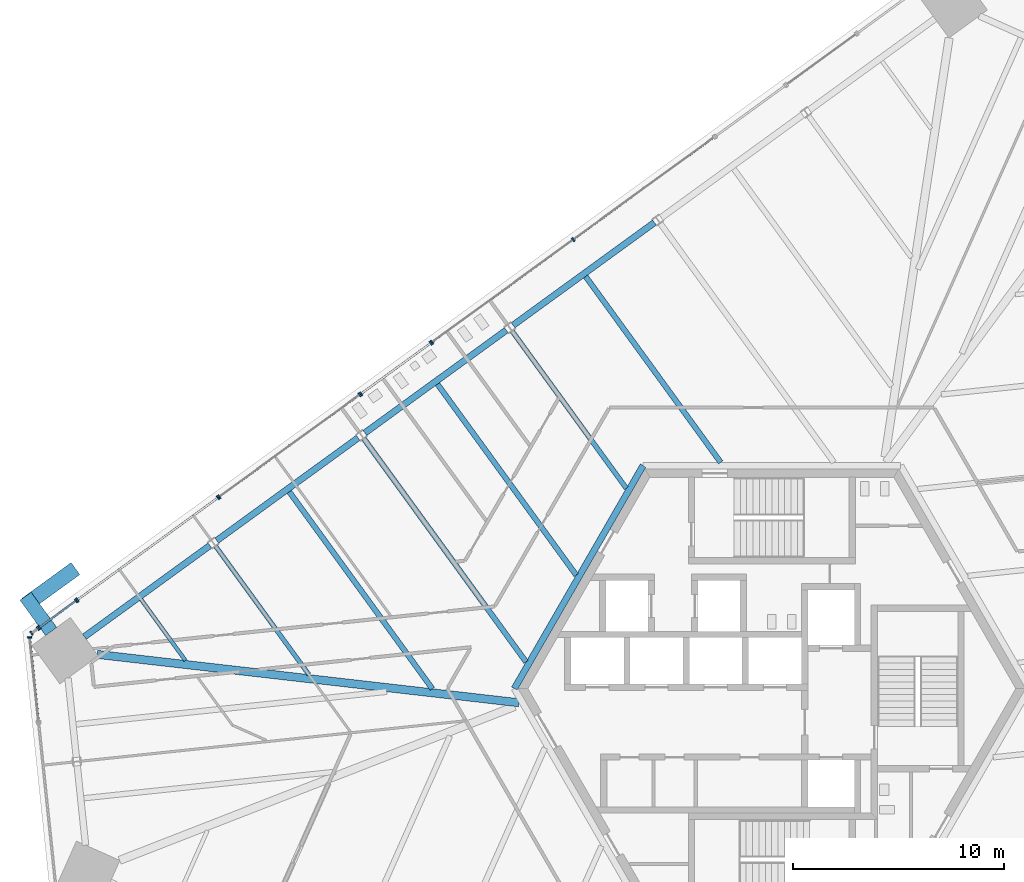
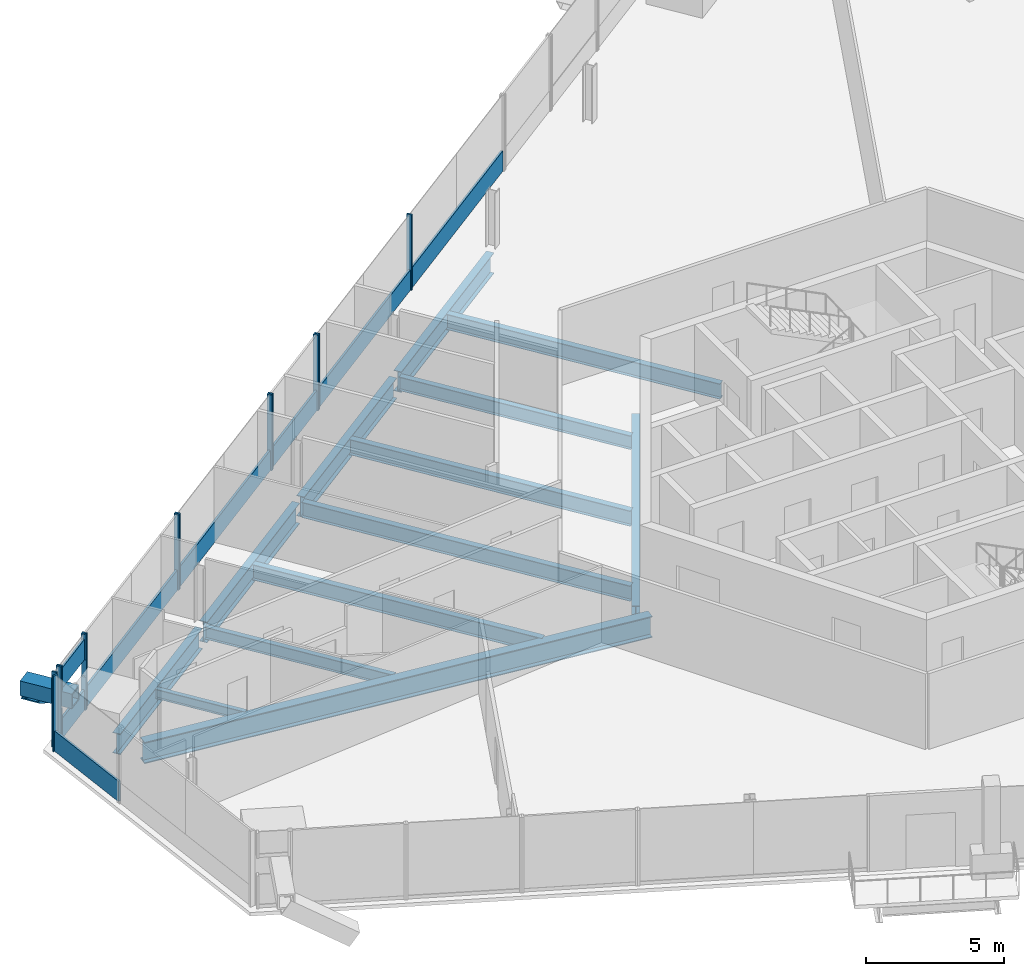
# One storey, part 7 of 25: 25 members, 13 beams, 8 elements without a shape of their own.
"""IFC4 building model written with IfcOpenShell, lengths in metres."""

from ifc_helpers import new_model, si_unit, direction, frame, origin, origin_2d, place, context, subcontext, project, spatial, rectangle, hollow_rectangle, i_section, extrude, source, transform, mapped, material, material_profile, profile_set, type_object, element, aggregate, save


model = new_model("IFC4")

# Units and contexts
model_context = context("Model", 3, precision=1e-05, world=origin(), true_north=direction((0.0, 1.0)))
body_context = subcontext(model_context, "Body", "Model", "MODEL_VIEW")
ifc_project = project(units=[si_unit("LENGTHUNIT", "METRE"), si_unit("AREAUNIT", "SQUARE_METRE"), si_unit("VOLUMEUNIT", "CUBIC_METRE"), si_unit("PLANEANGLEUNIT", "RADIAN"), si_unit("MASSUNIT", "GRAM", prefix="KILO")], contexts=[model_context])

# Site, building, storey
site_placement = place(None, origin())
site = spatial("IfcSite", under=ifc_project, at=site_placement, CompositionType="ELEMENT")
building_placement = place(site_placement, origin())
building = spatial("IfcBuilding", under=site, at=building_placement, Name="Triune Harvest Tower", CompositionType="ELEMENT")
storey_placement = place(building_placement, frame((0.0, 0.0, 90.89990234375)))
storey = spatial("IfcBuildingStorey", under=building, at=storey_placement, Name="L22", CompositionType="ELEMENT", Elevation=90.89990234375)

# Curtain wall, member
ifc_material_1 = material(Name="Aluminium bronze anodised", Category="aluminium")
curtain_wall_type_1 = type_object("IfcCurtainWallType", Name="CW-7 Tower stick curtain wall with insulated spandrel infill", PredefinedType="NOTDEFINED", material=ifc_material_1)
curtain_wall_1_placement = place(storey_placement, origin())
curtain_wall_1 = element("IfcCurtainWall", 1, at=curtain_wall_1_placement, inside=storey, type_object=curtain_wall_type_1, Name="CW-7 B2-F3 L22 run 4201")
ifc_material_2 = material(Name="Aluminium bronze anodised", Category="aluminium")
ifc_material_profile_1 = material_profile(ifc_material_2, rectangle(XDim=0.090087890625, YDim=0.89990234375, at=origin_2d()), Name="TR-1 transom 90 x 900")
ifc_profile_set_1 = profile_set([ifc_material_profile_1], Name="Aluminium bronze anodised")
member_type_1 = type_object("IfcMemberType", Name="TR-1 transom 90 x 900", PredefinedType="USERDEFINED", material=ifc_profile_set_1)
member_1_placement = place(storey_placement, frame((-16.163818359375, 16.312255859375, 0.4501953125), z_axis=(-0.809016122128, -0.587786452835, 0.0), x_axis=(0.587786452835, -0.809016122128, 0.0)))
member_1 = element("IfcMember", 2, at=member_1_placement, type_object=member_type_1, Name="CW-7 transom B2-F3 4201.1", ObjectType="TRANSOM", PredefinedType="USERDEFINED", context=body_context, shape_type="SweptSolid", body=[
    extrude(rectangle(XDim=0.090087890625, YDim=0.89990234375, at=origin_2d()), origin(), (0.0, 0.0, 1.0), 3.994873046875),
])

# Beams
ifc_material_3 = material(Name="Steel ASTM A992 Gr 50", Category="steel")
ifc_material_profile_2 = material_profile(ifc_material_3, i_section(OverallWidth=0.3046875, OverallDepth=0.914306640625, WebThickness=0.0166015625, FlangeThickness=0.02587890625, at=origin_2d()), Name="W36x160")
ifc_profile_set_2 = profile_set([ifc_material_profile_2], Name="Steel ASTM A992 Gr 50")
beam_type_1 = type_object("IfcBeamType", Name="CG-1 Core ring girder W36x160", PredefinedType="BEAM", material=ifc_profile_set_2)
shared_shape_1 = source(origin(), body_context, "Body", "SweptSolid", [
    extrude(i_section(OverallWidth=0.3046875, OverallDepth=0.914306640625, WebThickness=0.0166015625, FlangeThickness=0.02587890625, at=origin_2d()), origin(), (0.0, 0.0, 1.0), 12.176025390625),
])
beam_1_placement = place(storey_placement, frame((-6.087890625, 10.544677734375, -0.6171875), z_axis=(-0.5000099932, -0.866019634131, 0.0), x_axis=(0.866019634131, -0.5000099932, 0.0)))
element("IfcBeam", 3, at=beam_1_placement, inside=storey, type_object=beam_type_1, Name="beam/L22/CG3", PredefinedType="BEAM", context=body_context, shape_type="MappedRepresentation", body=[
    mapped(shared_shape_1, transform((0.0, 0.0, 0.0), scale=1.0)),
])
ifc_material_4 = material(Name="Steel ASTM A992 Gr 50", Category="steel")
ifc_material_profile_3 = material_profile(ifc_material_4, i_section(OverallWidth=0.3046875, OverallDepth=0.914306640625, WebThickness=0.0166015625, FlangeThickness=0.02587890625, at=origin_2d()), Name="W36x160")
ifc_profile_set_3 = profile_set([ifc_material_profile_3], Name="Steel ASTM A992 Gr 50")
beam_type_2 = type_object("IfcBeamType", Name="SB-1 Spandrel beam W36x160", PredefinedType="SPANDREL", material=ifc_profile_set_3)
shared_shape_2 = source(origin(), body_context, "Body", "SweptSolid", [
    extrude(i_section(OverallWidth=0.3046875, OverallDepth=0.914306640625, WebThickness=0.0166015625, FlangeThickness=0.02587890625, at=origin_2d()), origin(), (0.0, 0.0, 1.0), 7.337890625),
])
beam_2_placement = place(storey_placement, frame((-26.574951171875, 6.763916015625, -0.6171875), z_axis=(-0.80902661548, -0.58777200975, 0.0), x_axis=(0.58777200975, -0.80902661548, 0.0)))
element("IfcBeam", 4, at=beam_2_placement, inside=storey, type_object=beam_type_2, Name="beam/L22/SB14", PredefinedType="SPANDREL", context=body_context, shape_type="MappedRepresentation", body=[
    mapped(shared_shape_2, transform((0.0, 0.0, 0.0), scale=1.0)),
])
shared_shape_3 = source(origin(), body_context, "Body", "SweptSolid", [
    extrude(i_section(OverallWidth=0.3046875, OverallDepth=0.914306640625, WebThickness=0.0166015625, FlangeThickness=0.02587890625, at=origin_2d()), origin(), (0.0, 0.0, 1.0), 8.263427734375),
])
for number, where, z_axis, x_axis, name in (
    (5, (-5.55126953125, 22.03857421875, -0.6171875), (-0.809015786763, -0.587786914424, 0.0), (0.587786914424, -0.809015786763, 0.0), "beam/L22/SB11"),
    (6, (-12.55908203125, 16.947021484375, -0.6171875), (-0.809015786763, -0.587786914424, 0.0), (0.587786914424, -0.809015786763, 0.0), "beam/L22/SB12"),
    (7, (-19.56689453125, 11.85546875, -0.6171875), (-0.809015786763, -0.587786914424, 0.0), (0.587786914424, -0.809015786763, 0.0), "beam/L22/SB13"),
):
    element("IfcBeam", number, at=place(storey_placement, frame(where, z_axis=z_axis, x_axis=x_axis)), inside=storey, type_object=beam_type_2, Name=name, PredefinedType="SPANDREL", context=body_context, shape_type="MappedRepresentation", body=[
        mapped(shared_shape_3, transform((0.0, 0.0, 0.0), scale=1.0)),
    ])
ifc_material_5 = material(Name="Steel ASTM A992 Gr 50", Category="steel")
ifc_material_profile_4 = material_profile(ifc_material_5, i_section(OverallWidth=0.383544921875, OverallDepth=0.9423828125, WebThickness=0.022216796875, FlangeThickness=0.039794921875, at=origin_2d()), Name="W36x232")
ifc_profile_set_4 = profile_set([ifc_material_profile_4], Name="Steel ASTM A992 Gr 50")
beam_type_3 = type_object("IfcBeamType", Name="HG-1 Hip girder W36x232", PredefinedType="BEAM", material=ifc_profile_set_4)
shared_shape_4 = source(origin(), body_context, "Body", "SweptSolid", [
    extrude(i_section(OverallWidth=0.383544921875, OverallDepth=0.9423828125, WebThickness=0.022216796875, FlangeThickness=0.039794921875, at=origin_2d()), origin(), (0.0, 0.0, 1.0), 20.070556640625),
])
beam_3_placement = place(storey_placement, frame((-31.904541015625, 1.61572265625, -0.631103515625), z_axis=(0.993487545287, -0.113940762503, 0.0), x_axis=(0.113940762503, 0.993487545287, 0.0)))
element("IfcBeam", 8, at=beam_3_placement, inside=storey, type_object=beam_type_3, Name="beam/L22/HG5", PredefinedType="BEAM", context=body_context, shape_type="MappedRepresentation", body=[
    mapped(shared_shape_4, transform((0.0, 0.0, 0.0), scale=1.0)),
])
ifc_material_6 = material(Name="Steel ASTM A992 Gr 50", Category="steel")
ifc_material_profile_5 = material_profile(ifc_material_6, i_section(OverallWidth=0.22900390625, OverallDepth=0.612060546875, WebThickness=0.011962890625, FlangeThickness=0.01953125, at=origin_2d()), Name="W24x84")
ifc_profile_set_5 = profile_set([ifc_material_profile_5], Name="Steel ASTM A992 Gr 50")
beam_type_4 = type_object("IfcBeamType", Name="JT-3 Floor joist W24x84", PredefinedType="JOIST", material=ifc_profile_set_5)
shared_shape_5 = source(origin(), body_context, "Body", "SweptSolid", [
    extrude(i_section(OverallWidth=0.22900390625, OverallDepth=0.612060546875, WebThickness=0.011962890625, FlangeThickness=0.01953125, at=origin_2d()), origin(), (0.0, 0.0, 1.0), 9.186279296875),
])
beam_4_placement = place(storey_placement, frame((-12.2822265625, 16.905029296875, -0.466064453125), z_axis=(0.58779079947, -0.809012964085, 0.0), x_axis=(0.809012964085, 0.58779079947, 0.0)))
element("IfcBeam", 9, at=beam_4_placement, inside=storey, type_object=beam_type_4, Name="beam/L22/JT19", PredefinedType="JOIST", context=body_context, shape_type="MappedRepresentation", body=[
    mapped(shared_shape_5, transform((0.0, 0.0, 0.0), scale=1.0)),
])
ifc_material_7 = material(Name="Steel ASTM A992 Gr 50", Category="steel")
ifc_material_profile_6 = material_profile(ifc_material_7, i_section(OverallWidth=0.253662109375, OverallDepth=0.683349609375, WebThickness=0.012451171875, FlangeThickness=0.01904296875, at=origin_2d()), Name="W27x94")
ifc_profile_set_6 = profile_set([ifc_material_profile_6], Name="Steel ASTM A992 Gr 50")
beam_type_5 = type_object("IfcBeamType", Name="JT-4 Floor joist W27x94", PredefinedType="JOIST", material=ifc_profile_set_6)
shared_shape_6 = source(origin(), body_context, "Body", "SweptSolid", [
    extrude(i_section(OverallWidth=0.253662109375, OverallDepth=0.683349609375, WebThickness=0.012451171875, FlangeThickness=0.01904296875, at=origin_2d()), origin(), (0.0, 0.0, 1.0), 11.158935546875),
])
beam_5_placement = place(storey_placement, frame((-15.812255859375, 14.395263671875, -0.50146484375), z_axis=(0.58778396925, -0.809017926558, 0.0), x_axis=(0.809017926558, 0.58778396925, 0.0)))
element("IfcBeam", 10, at=beam_5_placement, inside=storey, type_object=beam_type_5, Name="beam/L22/JT20", PredefinedType="JOIST", context=body_context, shape_type="MappedRepresentation", body=[
    mapped(shared_shape_6, transform((0.0, 0.0, 0.0), scale=1.0)),
])
shared_shape_7 = source(origin(), body_context, "Body", "SweptSolid", [
    extrude(i_section(OverallWidth=0.253662109375, OverallDepth=0.683349609375, WebThickness=0.012451171875, FlangeThickness=0.01904296875, at=origin_2d()), origin(), (0.0, 0.0, 1.0), 10.86474609375),
])
beam_6_placement = place(storey_placement, frame((-8.804443359375, 19.48681640625, -0.50146484375), z_axis=(0.587789508047, -0.809013902371, 0.0), x_axis=(0.809013902371, 0.587789508047, 0.0)))
element("IfcBeam", 11, at=beam_6_placement, inside=storey, type_object=beam_type_5, Name="beam/L22/JT18", PredefinedType="JOIST", context=body_context, shape_type="MappedRepresentation", body=[
    mapped(shared_shape_7, transform((0.0, 0.0, 0.0), scale=1.0)),
])
shared_shape_8 = source(origin(), body_context, "Body", "SweptSolid", [
    extrude(i_section(OverallWidth=0.253662109375, OverallDepth=0.683349609375, WebThickness=0.012451171875, FlangeThickness=0.01904296875, at=origin_2d()), origin(), (0.0, 0.0, 1.0), 13.042724609375),
])
beam_7_placement = place(storey_placement, frame((-19.2900390625, 11.8134765625, -0.50146484375), z_axis=(0.587795444635, -0.809009589107, 0.0), x_axis=(0.809009589107, 0.587795444635, 0.0)))
element("IfcBeam", 12, at=beam_7_placement, inside=storey, type_object=beam_type_5, Name="beam/L22/JT21", PredefinedType="JOIST", context=body_context, shape_type="MappedRepresentation", body=[
    mapped(shared_shape_8, transform((0.0, 0.0, 0.0), scale=1.0)),
])
shared_shape_9 = source(origin(), body_context, "Body", "SweptSolid", [
    extrude(i_section(OverallWidth=0.253662109375, OverallDepth=0.683349609375, WebThickness=0.012451171875, FlangeThickness=0.01904296875, at=origin_2d()), origin(), (0.0, 0.0, 1.0), 11.511474609375),
])
beam_8_placement = place(storey_placement, frame((-22.820068359375, 9.3037109375, -0.50146484375), z_axis=(0.587775656534, -0.809023966015, 0.0), x_axis=(0.809023966015, 0.587775656534, 0.0)))
element("IfcBeam", 13, at=beam_8_placement, inside=storey, type_object=beam_type_5, Name="beam/L22/JT22", PredefinedType="JOIST", context=body_context, shape_type="MappedRepresentation", body=[
    mapped(shared_shape_9, transform((0.0, 0.0, 0.0), scale=1.0)),
])
ifc_material_8 = material(Name="Steel ASTM A992 Gr 50", Category="steel")
ifc_material_profile_7 = material_profile(ifc_material_8, i_section(OverallWidth=0.2099609375, OverallDepth=0.535888671875, WebThickness=0.010986328125, FlangeThickness=0.017333984375, at=origin_2d()), Name="W21x68")
ifc_profile_set_7 = profile_set([ifc_material_profile_7], Name="Steel ASTM A992 Gr 50")
beam_type_6 = type_object("IfcBeamType", Name="JT-2 Floor joist W21x68", PredefinedType="JOIST", material=ifc_profile_set_7)
shared_shape_10 = source(origin(), body_context, "Body", "SweptSolid", [
    extrude(i_section(OverallWidth=0.2099609375, OverallDepth=0.535888671875, WebThickness=0.010986328125, FlangeThickness=0.017333984375, at=origin_2d()), origin(), (0.0, 0.0, 1.0), 7.4921875),
])
beam_9_placement = place(storey_placement, frame((-26.2978515625, 6.721923828125, -0.427978515625), z_axis=(0.587787996274, -0.809015000748, 0.0), x_axis=(0.809015000748, 0.587787996274, 0.0)))
element("IfcBeam", 14, at=beam_9_placement, inside=storey, type_object=beam_type_6, Name="beam/L22/JT23", PredefinedType="JOIST", context=body_context, shape_type="MappedRepresentation", body=[
    mapped(shared_shape_10, transform((0.0, 0.0, 0.0), scale=1.0)),
])
ifc_material_9 = material(Name="Steel ASTM A992 Gr 50", Category="steel")
ifc_material_profile_8 = material_profile(ifc_material_9, i_section(OverallWidth=0.180908203125, OverallDepth=0.41650390625, WebThickness=0.010986328125, FlangeThickness=0.01806640625, at=origin_2d()), Name="W16x57")
ifc_profile_set_8 = profile_set([ifc_material_profile_8], Name="Steel ASTM A992 Gr 50")
beam_type_7 = type_object("IfcBeamType", Name="JT-1 Floor joist W16x57", PredefinedType="JOIST", material=ifc_profile_set_8)
shared_shape_11 = source(origin(), body_context, "Body", "SweptSolid", [
    extrude(i_section(OverallWidth=0.180908203125, OverallDepth=0.41650390625, WebThickness=0.010986328125, FlangeThickness=0.01806640625, at=origin_2d()), origin(), (0.0, 0.0, 1.0), 3.561767578125),
])
beam_10_placement = place(storey_placement, frame((-29.827880859375, 4.212158203125, -0.3681640625), z_axis=(0.587768138852, -0.80902942774, 0.0), x_axis=(0.80902942774, 0.587768138852, 0.0)))
element("IfcBeam", 15, at=beam_10_placement, inside=storey, type_object=beam_type_7, Name="beam/L22/JT24", PredefinedType="JOIST", context=body_context, shape_type="MappedRepresentation", body=[
    mapped(shared_shape_11, transform((0.0, 0.0, 0.0), scale=1.0)),
])

# Members
ifc_material_10 = material(Name="Steel ASTM A572 Gr 50", Category="steel")
ifc_material_profile_9 = material_profile(ifc_material_10, hollow_rectangle(XDim=0.64990234375, YDim=0.64990234375, WallThickness=0.070068359375, at=origin_2d()), Name="Box 650x650x70")
ifc_profile_set_9 = profile_set([ifc_material_profile_9], Name="Steel ASTM A572 Gr 50")
member_type_2 = type_object("IfcMemberType", Name="BS-1 Brace stub Box 650x650x70", PredefinedType="STRUT", material=ifc_profile_set_9)
shared_shape_12 = source(origin(), body_context, "Body", "SweptSolid", [
    extrude(hollow_rectangle(XDim=0.64990234375, YDim=0.64990234375, WallThickness=0.070068359375, at=origin_2d()), origin(), (0.0, 0.0, 1.0), 2.060302734375),
])
member_2_placement = place(storey_placement, frame((-34.082763671875, 2.69970703125, 1.85009765625), z_axis=(-0.587720695869, 0.809063893427, 0.0), x_axis=(-0.809063893427, -0.587720695869, 0.0)))
element("IfcMember", 16, at=member_2_placement, inside=storey, type_object=member_type_2, Name="brace/B2-F3/stub2", PredefinedType="STRUT", context=body_context, shape_type="MappedRepresentation", body=[
    mapped(shared_shape_12, transform((0.0, 0.0, 0.0), scale=1.0)),
])
ifc_material_11 = material(Name="Steel ASTM A572 Gr 50", Category="steel")
ifc_material_profile_10 = material_profile(ifc_material_11, hollow_rectangle(XDim=0.699951171875, YDim=0.699951171875, WallThickness=0.0400390625, at=origin_2d()), Name="Box 700x700x40")
ifc_profile_set_10 = profile_set([ifc_material_profile_10], Name="Steel ASTM A572 Gr 50")
member_type_3 = type_object("IfcMemberType", Name="BR-1 Brace Box 700x700x40", PredefinedType="BRACE", material=ifc_profile_set_10)
shared_shape_13 = source(origin(), body_context, "Body", "SweptSolid", [
    extrude(hollow_rectangle(XDim=0.699951171875, YDim=0.699951171875, WallThickness=0.0400390625, at=origin_2d()), origin(), (0.0, 0.0, 1.0), 2.953125),
])
member_3_placement = place(storey_placement, frame((-33.084716796875, 5.563720703125, 0.0), z_axis=(-0.68239691716, -0.495800134748, 0.537137481317), x_axis=(0.587792820443, -0.809011495738, 0.0)))
element("IfcMember", 17, at=member_3_placement, inside=storey, type_object=member_type_3, Name="brace/B2-F3/d1/10", PredefinedType="BRACE", context=body_context, shape_type="MappedRepresentation", body=[
    mapped(shared_shape_13, transform((0.0, 0.0, 0.0), scale=1.0)),
])

# Curtain wall, members
ifc_material_12 = material(Name="Aluminium bronze anodised", Category="aluminium")
curtain_wall_type_2 = type_object("IfcCurtainWallType", Name="CW-1 Tower stick curtain wall", PredefinedType="NOTDEFINED", material=ifc_material_12)
curtain_wall_2_placement = place(storey_placement, origin())
curtain_wall_2 = element("IfcCurtainWall", 18, at=curtain_wall_2_placement, inside=storey, type_object=curtain_wall_type_2, Name="CW-1 B2-F3 L22 run 3201")
shared_shape_14 = source(origin(), body_context, "Body", "SweptSolid", [
    extrude(rectangle(XDim=0.090087890625, YDim=0.89990234375, at=origin_2d()), origin(), (0.0, 0.0, 1.0), 8.177490234375),
])
member_4_placement = place(storey_placement, frame((-2.750244140625, 26.057861328125, 0.4501953125), z_axis=(-0.809014856645, -0.587788194613, 0.0), x_axis=(0.587788194613, -0.809014856645, 0.0)))
member_4 = element("IfcMember", 19, at=member_4_placement, type_object=member_type_1, Name="CW-1 transom B2-F3 3201.1", ObjectType="TRANSOM", PredefinedType="USERDEFINED", context=body_context, shape_type="MappedRepresentation", body=[
    mapped(shared_shape_14, transform((0.0, 0.0, 0.0), scale=1.0)),
])
member_5_placement = place(storey_placement, frame((-9.4267578125, 21.20703125, 0.4501953125), z_axis=(-0.809014856645, -0.587788194613, 0.0), x_axis=(0.587788194613, -0.809014856645, 0.0)))
member_5 = element("IfcMember", 20, at=member_5_placement, type_object=member_type_1, Name="CW-1 transom B2-F3 3201.2", ObjectType="TRANSOM", PredefinedType="USERDEFINED", context=body_context, shape_type="MappedRepresentation", body=[
    mapped(shared_shape_14, transform((0.0, 0.0, 0.0), scale=1.0)),
])

# Curtain wall, member
curtain_wall_3_placement = place(storey_placement, origin())
curtain_wall_3 = element("IfcCurtainWall", 21, at=curtain_wall_3_placement, inside=storey, type_object=curtain_wall_type_1, Name="CW-7 B2-F3 L22 run 301")
shared_shape_15 = source(origin(), body_context, "Body", "SweptSolid", [
    extrude(rectangle(XDim=0.090087890625, YDim=0.89990234375, at=origin_2d()), origin(), (0.0, 0.0, 1.0), 2.0830078125),
])
member_6_placement = place(storey_placement, frame((-32.9306640625, 4.13037109375, 0.4501953125), z_axis=(-0.809034999426, -0.587760469668, 0.0), x_axis=(0.587760469668, -0.809034999426, 0.0)))
member_6 = element("IfcMember", 22, at=member_6_placement, type_object=member_type_1, Name="CW-7 transom B2-F3 301.1", ObjectType="TRANSOM", PredefinedType="USERDEFINED", context=body_context, shape_type="MappedRepresentation", body=[
    mapped(shared_shape_15, transform((0.0, 0.0, 0.0), scale=1.0)),
])

curtain_wall_4_placement = place(storey_placement, origin())
curtain_wall_4 = element("IfcCurtainWall", 23, at=curtain_wall_4_placement, inside=storey, type_object=curtain_wall_type_2, Name="CW-1 B2-F3 L22 run 401")
member_7_placement = place(storey_placement, frame((-32.9306640625, 4.13037109375, 2.68505859375), z_axis=(-0.809034999426, -0.587760469668, 0.0), x_axis=(0.587760469668, -0.809034999426, 0.0)))
member_7 = element("IfcMember", 24, at=member_7_placement, type_object=member_type_1, Name="CW-1 transom B2-F3 401.1", ObjectType="TRANSOM", PredefinedType="USERDEFINED", context=body_context, shape_type="MappedRepresentation", body=[
    mapped(shared_shape_15, transform((0.0, 0.0, 0.0), scale=1.0)),
])

curtain_wall_5_placement = place(storey_placement, origin())
curtain_wall_5 = element("IfcCurtainWall", 25, at=curtain_wall_5_placement, inside=storey, type_object=curtain_wall_type_2, Name="CW-1 B2-F4 L22 run 1")
shared_shape_16 = source(origin(), body_context, "Body", "SweptSolid", [
    extrude(rectangle(XDim=0.090087890625, YDim=0.89990234375, at=origin_2d()), origin(), (0.0, 0.0, 1.0), 3.92333984375),
])
member_8_placement = place(storey_placement, frame((-35.09765625, 2.37939453125, 0.4501953125), z_axis=(0.104542256818, -0.994520445511, 0.0), x_axis=(0.994520445511, 0.104542256818, 0.0)))
member_8 = element("IfcMember", 26, at=member_8_placement, type_object=member_type_1, Name="CW-1 transom B2-F4 1.1", ObjectType="TRANSOM", PredefinedType="USERDEFINED", context=body_context, shape_type="MappedRepresentation", body=[
    mapped(shared_shape_16, transform((0.0, 0.0, 0.0), scale=1.0)),
])

# Member
ifc_material_13 = material(Name="Aluminium bronze anodised", Category="aluminium")
ifc_material_profile_11 = material_profile(ifc_material_13, rectangle(XDim=0.199951171875, YDim=0.074951171875, at=origin_2d()), Name="MU-1 mullion 75 x 200")
ifc_profile_set_11 = profile_set([ifc_material_profile_11], Name="Aluminium bronze anodised")
member_type_4 = type_object("IfcMemberType", Name="MU-1 mullion 75 x 200", PredefinedType="MULLION", material=ifc_profile_set_11)
shared_shape_17 = source(origin(), body_context, "Body", "SweptSolid", [
    extrude(rectangle(XDim=0.199951171875, YDim=0.074951171875, at=origin_2d()), origin(), (0.0, 0.0, 1.0), 3.35009765625),
])
member_9_placement = place(storey_placement, frame((-9.396240234375, 21.229248046875, 0.0), z_axis=(0.0, 0.0, 1.0), x_axis=(0.587783244821, -0.809018452885, 0.0)))
member_9 = element("IfcMember", 27, at=member_9_placement, type_object=member_type_4, Name="CW-1 mullion B2-F3 3201.3", PredefinedType="MULLION", context=body_context, shape_type="MappedRepresentation", body=[
    mapped(shared_shape_17, transform((0.0, 0.0, 0.0), scale=1.0)),
])

member_10_placement = place(storey_placement, frame((-16.07275390625, 16.37841796875, 0.0), z_axis=(0.0, 0.0, 1.0), x_axis=(0.587783244821, -0.809018452885, 0.0)))
member_10 = element("IfcMember", 28, at=member_10_placement, type_object=member_type_4, Name="CW-1 mullion B2-F3 3201.5", PredefinedType="MULLION", context=body_context, shape_type="MappedRepresentation", body=[
    mapped(shared_shape_17, transform((0.0, 0.0, 0.0), scale=1.0)),
])

aggregate(curtain_wall_2, [member_9, member_10, member_4, member_5])

member_11_placement = place(storey_placement, frame((-16.133544921875, 16.33447265625, 0.0), z_axis=(0.0, 0.0, 1.0), x_axis=(0.587787192366, -0.809015584825, 0.0)))
member_11 = element("IfcMember", 29, at=member_11_placement, type_object=member_type_4, Name="CW-7 mullion B2-F3 4201.1", PredefinedType="MULLION", context=body_context, shape_type="MappedRepresentation", body=[
    mapped(shared_shape_17, transform((0.0, 0.0, 0.0), scale=1.0)),
])

member_12_placement = place(storey_placement, frame((-19.42626953125, 13.942138671875, 0.0), z_axis=(0.0, 0.0, 1.0), x_axis=(0.587787192366, -0.809015584825, 0.0)))
member_12 = element("IfcMember", 30, at=member_12_placement, type_object=member_type_4, Name="CW-7 mullion B2-F3 4201.2", PredefinedType="MULLION", context=body_context, shape_type="MappedRepresentation", body=[
    mapped(shared_shape_17, transform((0.0, 0.0, 0.0), scale=1.0)),
])

aggregate(curtain_wall_1, [member_11, member_12, member_1])

# Curtain wall, members
curtain_wall_6_placement = place(storey_placement, origin())
curtain_wall_6 = element("IfcCurtainWall", 31, at=curtain_wall_6_placement, inside=storey, type_object=curtain_wall_type_2, Name="CW-1 B2-F3 L22 run 5201")
member_13_placement = place(storey_placement, frame((-19.48681640625, 13.89794921875, 0.0), z_axis=(0.0, 0.0, 1.0), x_axis=(0.587779297219, -0.809021320956, 0.0)))
member_13 = element("IfcMember", 32, at=member_13_placement, type_object=member_type_4, Name="CW-1 mullion B2-F3 5201.1", PredefinedType="MULLION", context=body_context, shape_type="MappedRepresentation", body=[
    mapped(shared_shape_17, transform((0.0, 0.0, 0.0), scale=1.0)),
])
member_14_placement = place(storey_placement, frame((-26.133056640625, 9.0693359375, 0.0), z_axis=(0.0, 0.0, 1.0), x_axis=(0.587779297219, -0.809021320956, 0.0)))
member_14 = element("IfcMember", 33, at=member_14_placement, type_object=member_type_4, Name="CW-1 mullion B2-F3 5201.3", PredefinedType="MULLION", context=body_context, shape_type="MappedRepresentation", body=[
    mapped(shared_shape_17, transform((0.0, 0.0, 0.0), scale=1.0)),
])

curtain_wall_7_placement = place(storey_placement, origin())
curtain_wall_7 = element("IfcCurtainWall", 34, at=curtain_wall_7_placement, inside=storey, type_object=curtain_wall_type_1, Name="CW-7 B2-F3 L22 run 6201")
member_15_placement = place(storey_placement, frame((-26.193603515625, 9.025146484375, 0.0), z_axis=(0.0, 0.0, 1.0), x_axis=(0.587787192366, -0.809015584825, 0.0)))
member_15 = element("IfcMember", 35, at=member_15_placement, type_object=member_type_4, Name="CW-7 mullion B2-F3 6201.1", PredefinedType="MULLION", context=body_context, shape_type="MappedRepresentation", body=[
    mapped(shared_shape_17, transform((0.0, 0.0, 0.0), scale=1.0)),
])
member_16_placement = place(storey_placement, frame((-32.83984375, 4.196533203125, 0.0), z_axis=(0.0, 0.0, 1.0), x_axis=(0.587787192366, -0.809015584825, 0.0)))
member_16 = element("IfcMember", 36, at=member_16_placement, type_object=member_type_4, Name="CW-7 mullion B2-F3 6201.3", PredefinedType="MULLION", context=body_context, shape_type="MappedRepresentation", body=[
    mapped(shared_shape_17, transform((0.0, 0.0, 0.0), scale=1.0)),
])

curtain_wall_8_placement = place(storey_placement, origin())
curtain_wall_8 = element("IfcCurtainWall", 37, at=curtain_wall_8_placement, inside=storey, type_object=curtain_wall_type_2, Name="CW-1 B2-F3 L22 run 501")
member_17_placement = place(storey_placement, frame((-34.70703125, 2.83984375, 0.0), z_axis=(0.0, 0.0, 1.0), x_axis=(0.587816204591, -0.808994505309, 0.0)))
member_17 = element("IfcMember", 38, at=member_17_placement, type_object=member_type_4, Name="CW-1 mullion B2-F3 501.1", PredefinedType="MULLION", context=body_context, shape_type="MappedRepresentation", body=[
    mapped(shared_shape_17, transform((0.0, 0.0, 0.0), scale=1.0)),
])
member_18_placement = place(storey_placement, frame((-35.01171875, 2.61865234375, 0.0), z_axis=(0.0, 0.0, 1.0), x_axis=(0.587816204591, -0.808994505309, 0.0)))
member_18 = element("IfcMember", 39, at=member_18_placement, type_object=member_type_4, Name="CW-1 mullion B2-F3 501.2", PredefinedType="MULLION", context=body_context, shape_type="MappedRepresentation", body=[
    mapped(shared_shape_17, transform((0.0, 0.0, 0.0), scale=1.0)),
])
aggregate(curtain_wall_8, [member_17, member_18])

# Member
member_19_placement = place(storey_placement, frame((-35.1015625, 2.416748046875, 0.0), z_axis=(0.0, 0.0, 1.0), x_axis=(0.994521759788, 0.104529753221, 0.0)))
member_19 = element("IfcMember", 40, at=member_19_placement, type_object=member_type_4, Name="CW-1 mullion B2-F4 1.1", PredefinedType="MULLION", context=body_context, shape_type="MappedRepresentation", body=[
    mapped(shared_shape_17, transform((0.0, 0.0, 0.0), scale=1.0)),
])

aggregate(curtain_wall_5, [member_19, member_8])

shared_shape_18 = source(origin(), body_context, "Body", "SweptSolid", [
    extrude(rectangle(XDim=0.199951171875, YDim=0.074951171875, at=origin_2d()), origin(), (0.0, 0.0, 1.0), 1.465087890625),
])
member_20_placement = place(storey_placement, frame((-32.900390625, 4.15234375, 0.0), z_axis=(0.0, 0.0, 1.0), x_axis=(0.587785522888, -0.809016797775, 0.0)))
member_20 = element("IfcMember", 41, at=member_20_placement, type_object=member_type_4, Name="CW-7 mullion B2-F3 301.1", PredefinedType="MULLION", context=body_context, shape_type="MappedRepresentation", body=[
    mapped(shared_shape_18, transform((0.0, 0.0, 0.0), scale=1.0)),
])

member_21_placement = place(storey_placement, frame((-34.646240234375, 2.884033203125, 0.0), z_axis=(0.0, 0.0, 1.0), x_axis=(0.587785522888, -0.809016797775, 0.0)))
member_21 = element("IfcMember", 42, at=member_21_placement, type_object=member_type_4, Name="CW-7 mullion B2-F3 301.2", PredefinedType="MULLION", context=body_context, shape_type="MappedRepresentation", body=[
    mapped(shared_shape_18, transform((0.0, 0.0, 0.0), scale=1.0)),
])

aggregate(curtain_wall_3, [member_20, member_21, member_6])

shared_shape_19 = source(origin(), body_context, "Body", "SweptSolid", [
    extrude(rectangle(XDim=0.199951171875, YDim=0.074951171875, at=origin_2d()), origin(), (0.0, 0.0, 1.0), 1.114990234375),
])
member_22_placement = place(storey_placement, frame((-32.900390625, 4.15234375, 2.235107421875), z_axis=(0.0, 0.0, 1.0), x_axis=(0.587785522888, -0.809016797775, 0.0)))
member_22 = element("IfcMember", 43, at=member_22_placement, type_object=member_type_4, Name="CW-1 mullion B2-F3 401.1", PredefinedType="MULLION", context=body_context, shape_type="MappedRepresentation", body=[
    mapped(shared_shape_19, transform((0.0, 0.0, 0.0), scale=1.0)),
])

member_23_placement = place(storey_placement, frame((-34.646240234375, 2.884033203125, 2.235107421875), z_axis=(0.0, 0.0, 1.0), x_axis=(0.587785522888, -0.809016797775, 0.0)))
member_23 = element("IfcMember", 44, at=member_23_placement, type_object=member_type_4, Name="CW-1 mullion B2-F3 401.2", PredefinedType="MULLION", context=body_context, shape_type="MappedRepresentation", body=[
    mapped(shared_shape_19, transform((0.0, 0.0, 0.0), scale=1.0)),
])

aggregate(curtain_wall_4, [member_22, member_23, member_7])

shared_shape_20 = source(origin(), body_context, "Body", "SweptSolid", [
    extrude(rectangle(XDim=0.090087890625, YDim=0.89990234375, at=origin_2d()), origin(), (0.0, 0.0, 1.0), 8.14013671875),
])
member_24_placement = place(storey_placement, frame((-19.51708984375, 13.8759765625, 0.4501953125), z_axis=(-0.809013545052, -0.587789999849, 0.0), x_axis=(0.587789999849, -0.809013545052, 0.0)))
member_24 = element("IfcMember", 45, at=member_24_placement, type_object=member_type_1, Name="CW-1 transom B2-F3 5201.1", ObjectType="TRANSOM", PredefinedType="USERDEFINED", context=body_context, shape_type="MappedRepresentation", body=[
    mapped(shared_shape_20, transform((0.0, 0.0, 0.0), scale=1.0)),
])

aggregate(curtain_wall_6, [member_13, member_14, member_24])

member_25_placement = place(storey_placement, frame((-26.223876953125, 9.003173828125, 0.4501953125), z_axis=(-0.809013545052, -0.587789999849, 0.0), x_axis=(0.587789999849, -0.809013545052, 0.0)))
member_25 = element("IfcMember", 46, at=member_25_placement, type_object=member_type_1, Name="CW-7 transom B2-F3 6201.1", ObjectType="TRANSOM", PredefinedType="USERDEFINED", context=body_context, shape_type="MappedRepresentation", body=[
    mapped(shared_shape_20, transform((0.0, 0.0, 0.0), scale=1.0)),
])

aggregate(curtain_wall_7, [member_15, member_16, member_25])

save(model, "model.ifc")
